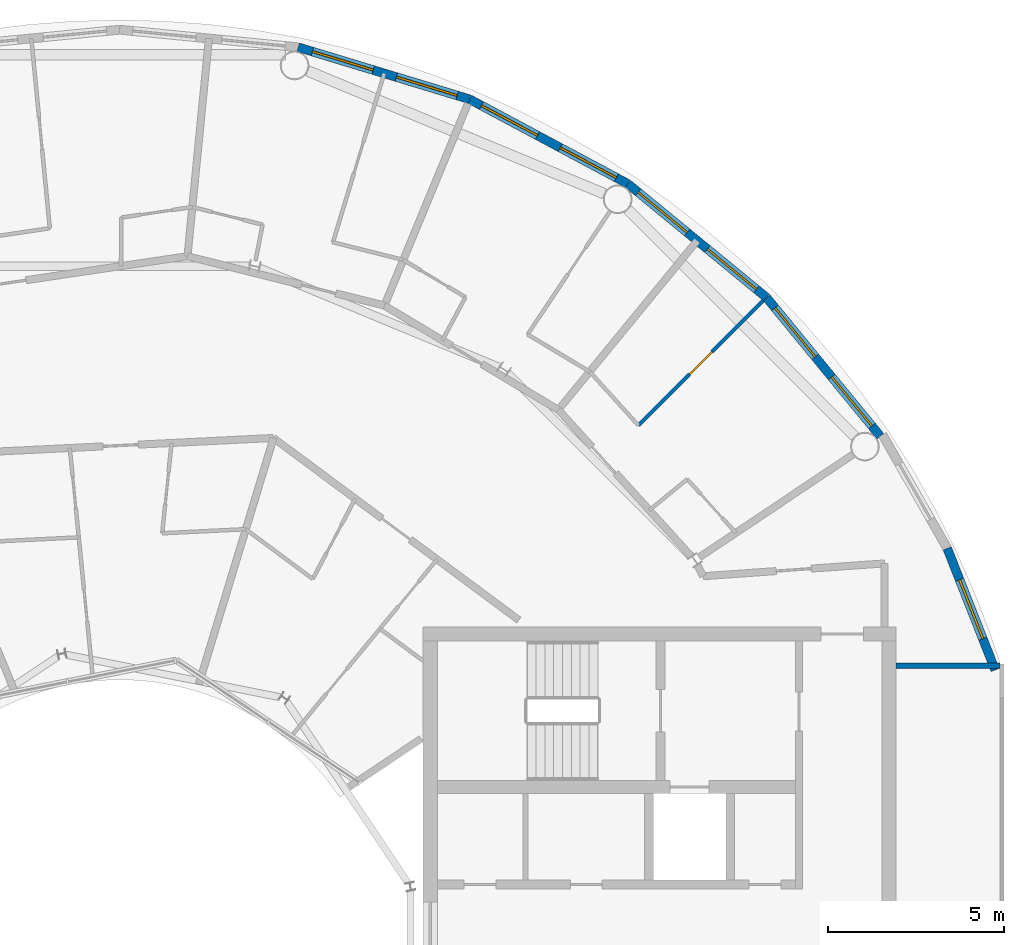
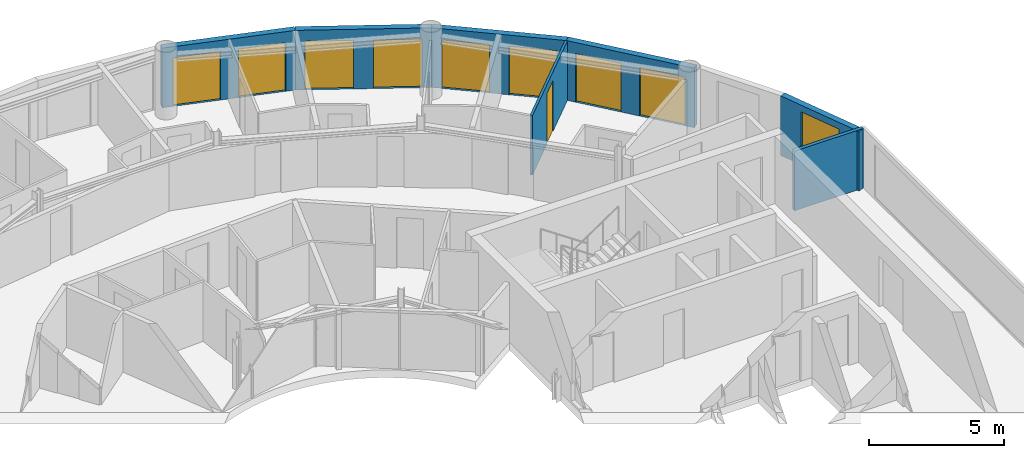
# One storey, part 19 of 22: 9 doors, 7 walls, 1 window, 10 openings.
"""IFC4 building model written with IfcOpenShell, lengths in metres."""

from ifc_helpers import new_model, si_unit, direction, frame, frame_2d, origin, place, context, subcontext, project, spatial, rectangle, extrude, material, layer, layer_set, type_object, element, fill, save


model = new_model("IFC4")

# Units and contexts
model_context = context("Model", 3, precision=1e-05, world=origin(), true_north=direction((0.0, 1.0)))
body_context = subcontext(model_context, "Body", "Model", "MODEL_VIEW")
ifc_project = project(units=[si_unit("LENGTHUNIT", "METRE"), si_unit("AREAUNIT", "SQUARE_METRE"), si_unit("VOLUMEUNIT", "CUBIC_METRE"), si_unit("PLANEANGLEUNIT", "RADIAN"), si_unit("MASSUNIT", "GRAM", prefix="KILO")], contexts=[model_context])

# Site, building, storey
site_placement = place(None, origin())
site = spatial("IfcSite", under=ifc_project, at=site_placement, CompositionType="ELEMENT")
building_placement = place(site_placement, origin())
building = spatial("IfcBuilding", under=site, at=building_placement, Name="Maasbend Ring Residences", CompositionType="ELEMENT")
storey_placement = place(building_placement, frame((0.0, 0.0, 237.10009765625)))
storey = spatial("IfcBuildingStorey", under=building, at=storey_placement, Name="L68", CompositionType="ELEMENT", Elevation=237.10009765625)

# Wall, openings, doors
ifc_material_1 = material(Name="Aluminium clad insulated panel", Category="aluminium")
ifc_layer_1 = layer(ifc_material_1, 0.25)
ifc_layer_set_1 = layer_set([ifc_layer_1], Name="EW-GL")
wall_type_1 = type_object("IfcWallType", Name="EW-GL", PredefinedType="SOLIDWALL", material=ifc_layer_set_1)
wall_1_placement = place(storey_placement, frame((21.555908203125, 14.403076171875, 0.0), z_axis=(0.0, 0.0, 1.0), x_axis=(-0.63433059803, 0.77306189429, 0.0)))
wall_1 = element("IfcWall", 1, at=wall_1_placement, inside=storey, type_object=wall_type_1, Name="External wall N01", PredefinedType="SOLIDWALL", context=body_context, shape_type="SweptSolid", body=[
    extrude(rectangle(XDim=5.082275390625, YDim=0.25, at=frame_2d((2.541015625, 0.0))), origin(), (0.0, 0.0, 1.0), 2.699951171875),
])
opening_1_placement = place(wall_1_placement, frame((0.37353515625, 0.0, 0.0)))
opening_1 = element("IfcOpeningElement", 2, at=opening_1_placement, cuts=wall_1, Name="Opening D-TR", PredefinedType="OPENING", context=body_context, shape_type="SweptSolid", body=[
    extrude(rectangle(XDim=1.800048828125, YDim=2.199951171875, at=frame_2d((0.89990234375, 1.10009765625))), frame((0.0, 0.135009765625, 0.0), z_axis=(0.0, -1.0, 0.0), x_axis=(1.0, 0.0, 0.0)), (0.0, 0.0, 1.0), 0.27001953125),
])
opening_2_placement = place(wall_1_placement, frame((2.90869140625, 0.0, 0.0)))
opening_2 = element("IfcOpeningElement", 3, at=opening_2_placement, cuts=wall_1, Name="Opening D-TR", PredefinedType="OPENING", context=body_context, shape_type="SweptSolid", body=[
    extrude(rectangle(XDim=1.800048828125, YDim=2.199951171875, at=frame_2d((0.89990234375, 1.10009765625))), frame((0.0, 0.135009765625, 0.0), z_axis=(0.0, -1.0, 0.0), x_axis=(1.0, 0.0, 0.0)), (0.0, 0.0, 1.0), 0.27001953125),
])
ifc_material_2 = material(Name="Aluminium and clear glass", Category="aluminium")
door_type_1 = type_object("IfcDoorType", Name="D-TR", OperationType="DOUBLE_DOOR_SINGLE_SWING", PredefinedType="DOOR", material=ifc_material_2)
door_1_placement = place(opening_1_placement, origin())
door_1 = element("IfcDoor", 4, at=door_1_placement, inside=storey, type_object=door_type_1, Name="Terrace door N01", OperationType="SINGLE_SWING_LEFT", OverallHeight=2.199951171875, OverallWidth=1.800048828125, PredefinedType="DOOR", context=body_context, shape_type="SweptSolid", body=[
    extrude(rectangle(XDim=1.800048828125, YDim=2.199951171875, at=frame_2d((0.89990234375, 1.10009765625))), frame((0.0, 0.02490234375, 0.0), z_axis=(0.0, -1.0, 0.0), x_axis=(1.0, 0.0, 0.0)), (0.0, 0.0, 1.0), 0.050048828125),
])
fill(opening_1, door_1)
door_2_placement = place(opening_2_placement, origin())
door_2 = element("IfcDoor", 5, at=door_2_placement, inside=storey, type_object=door_type_1, Name="Terrace door N02", OperationType="SINGLE_SWING_LEFT", OverallHeight=2.199951171875, OverallWidth=1.800048828125, PredefinedType="DOOR", context=body_context, shape_type="SweptSolid", body=[
    extrude(rectangle(XDim=1.800048828125, YDim=2.199951171875, at=frame_2d((0.89990234375, 1.10009765625))), frame((0.0, 0.02490234375, 0.0), z_axis=(0.0, -1.0, 0.0), x_axis=(1.0, 0.0, 0.0)), (0.0, 0.0, 1.0), 0.050048828125),
])
fill(opening_2, door_2)

wall_2_placement = place(storey_placement, frame((18.33203125, 18.33203125, 0.0), z_axis=(0.0, 0.0, 1.0), x_axis=(-0.77306189429, 0.63433059803, 0.0)))
wall_2 = element("IfcWall", 6, at=wall_2_placement, inside=storey, type_object=wall_type_1, Name="External wall N02", PredefinedType="SOLIDWALL", context=body_context, shape_type="SweptSolid", body=[
    extrude(rectangle(XDim=5.082275390625, YDim=0.25, at=frame_2d((2.541015625, 0.0))), origin(), (0.0, 0.0, 1.0), 2.699951171875),
])
opening_3_placement = place(wall_2_placement, frame((0.37353515625, 0.0, 0.0)))
opening_3 = element("IfcOpeningElement", 7, at=opening_3_placement, cuts=wall_2, Name="Opening D-TR", PredefinedType="OPENING", context=body_context, shape_type="SweptSolid", body=[
    extrude(rectangle(XDim=1.800048828125, YDim=2.199951171875, at=frame_2d((0.89990234375, 1.10009765625))), frame((0.0, 0.135009765625, 0.0), z_axis=(0.0, -1.0, 0.0), x_axis=(1.0, 0.0, 0.0)), (0.0, 0.0, 1.0), 0.27001953125),
])
opening_4_placement = place(wall_2_placement, frame((2.90869140625, 0.0, 0.0)))
opening_4 = element("IfcOpeningElement", 8, at=opening_4_placement, cuts=wall_2, Name="Opening D-TR", PredefinedType="OPENING", context=body_context, shape_type="SweptSolid", body=[
    extrude(rectangle(XDim=1.800048828125, YDim=2.199951171875, at=frame_2d((0.89990234375, 1.10009765625))), frame((0.0, 0.135009765625, 0.0), z_axis=(0.0, -1.0, 0.0), x_axis=(1.0, 0.0, 0.0)), (0.0, 0.0, 1.0), 0.27001953125),
])
door_3_placement = place(opening_3_placement, origin())
door_3 = element("IfcDoor", 9, at=door_3_placement, inside=storey, type_object=door_type_1, Name="Terrace door N03", OperationType="SINGLE_SWING_LEFT", OverallHeight=2.199951171875, OverallWidth=1.800048828125, PredefinedType="DOOR", context=body_context, shape_type="SweptSolid", body=[
    extrude(rectangle(XDim=1.800048828125, YDim=2.199951171875, at=frame_2d((0.89990234375, 1.10009765625))), frame((0.0, 0.02490234375, 0.0), z_axis=(0.0, -1.0, 0.0), x_axis=(1.0, 0.0, 0.0)), (0.0, 0.0, 1.0), 0.050048828125),
])
fill(opening_3, door_3)
door_4_placement = place(opening_4_placement, origin())
door_4 = element("IfcDoor", 10, at=door_4_placement, inside=storey, type_object=door_type_1, Name="Terrace door N04", OperationType="SINGLE_SWING_LEFT", OverallHeight=2.199951171875, OverallWidth=1.800048828125, PredefinedType="DOOR", context=body_context, shape_type="SweptSolid", body=[
    extrude(rectangle(XDim=1.800048828125, YDim=2.199951171875, at=frame_2d((0.89990234375, 1.10009765625))), frame((0.0, 0.02490234375, 0.0), z_axis=(0.0, -1.0, 0.0), x_axis=(1.0, 0.0, 0.0)), (0.0, 0.0, 1.0), 0.050048828125),
])
fill(opening_4, door_4)

wall_3_placement = place(storey_placement, frame((14.403076171875, 21.555908203125, 0.0), z_axis=(0.0, 0.0, 1.0), x_axis=(-0.881903089468, 0.47143073806, 0.0)))
wall_3 = element("IfcWall", 11, at=wall_3_placement, inside=storey, type_object=wall_type_1, Name="External wall N03", PredefinedType="SOLIDWALL", context=body_context, shape_type="SweptSolid", body=[
    extrude(rectangle(XDim=5.082275390625, YDim=0.25, at=frame_2d((2.541015625, 0.0))), origin(), (0.0, 0.0, 1.0), 2.699951171875),
])
opening_5_placement = place(wall_3_placement, frame((0.37353515625, 0.0, 0.0)))
opening_5 = element("IfcOpeningElement", 12, at=opening_5_placement, cuts=wall_3, Name="Opening D-TR", PredefinedType="OPENING", context=body_context, shape_type="SweptSolid", body=[
    extrude(rectangle(XDim=1.800048828125, YDim=2.199951171875, at=frame_2d((0.89990234375, 1.10009765625))), frame((0.0, 0.135009765625, 0.0), z_axis=(0.0, -1.0, 0.0), x_axis=(1.0, 0.0, 0.0)), (0.0, 0.0, 1.0), 0.27001953125),
])
opening_6_placement = place(wall_3_placement, frame((2.90869140625, 0.0, 0.0)))
opening_6 = element("IfcOpeningElement", 13, at=opening_6_placement, cuts=wall_3, Name="Opening D-TR", PredefinedType="OPENING", context=body_context, shape_type="SweptSolid", body=[
    extrude(rectangle(XDim=1.800048828125, YDim=2.199951171875, at=frame_2d((0.89990234375, 1.10009765625))), frame((0.0, 0.135009765625, 0.0), z_axis=(0.0, -1.0, 0.0), x_axis=(1.0, 0.0, 0.0)), (0.0, 0.0, 1.0), 0.27001953125),
])
door_5_placement = place(opening_5_placement, origin())
door_5 = element("IfcDoor", 14, at=door_5_placement, inside=storey, type_object=door_type_1, Name="Terrace door N05", OperationType="SINGLE_SWING_LEFT", OverallHeight=2.199951171875, OverallWidth=1.800048828125, PredefinedType="DOOR", context=body_context, shape_type="SweptSolid", body=[
    extrude(rectangle(XDim=1.800048828125, YDim=2.199951171875, at=frame_2d((0.89990234375, 1.10009765625))), frame((0.0, 0.02490234375, 0.0), z_axis=(0.0, -1.0, 0.0), x_axis=(1.0, 0.0, 0.0)), (0.0, 0.0, 1.0), 0.050048828125),
])
fill(opening_5, door_5)
door_6_placement = place(opening_6_placement, origin())
door_6 = element("IfcDoor", 15, at=door_6_placement, inside=storey, type_object=door_type_1, Name="Terrace door N06", OperationType="SINGLE_SWING_LEFT", OverallHeight=2.199951171875, OverallWidth=1.800048828125, PredefinedType="DOOR", context=body_context, shape_type="SweptSolid", body=[
    extrude(rectangle(XDim=1.800048828125, YDim=2.199951171875, at=frame_2d((0.89990234375, 1.10009765625))), frame((0.0, 0.02490234375, 0.0), z_axis=(0.0, -1.0, 0.0), x_axis=(1.0, 0.0, 0.0)), (0.0, 0.0, 1.0), 0.050048828125),
])
fill(opening_6, door_6)

wall_4_placement = place(storey_placement, frame((9.9208984375, 23.951904296875, 0.0), z_axis=(0.0, 0.0, 1.0), x_axis=(-0.956941126395, 0.290282070774, 0.0)))
wall_4 = element("IfcWall", 16, at=wall_4_placement, inside=storey, type_object=wall_type_1, Name="External wall N04", PredefinedType="SOLIDWALL", context=body_context, shape_type="SweptSolid", body=[
    extrude(rectangle(XDim=5.08154296875, YDim=0.25, at=frame_2d((2.540771484375, 0.0))), origin(), (0.0, 0.0, 1.0), 2.699951171875),
])
opening_7_placement = place(wall_4_placement, frame((0.37353515625, 0.0, 0.0)))
opening_7 = element("IfcOpeningElement", 17, at=opening_7_placement, cuts=wall_4, Name="Opening D-TR", PredefinedType="OPENING", context=body_context, shape_type="SweptSolid", body=[
    extrude(rectangle(XDim=1.800048828125, YDim=2.199951171875, at=frame_2d((0.89990234375, 1.10009765625))), frame((0.0, 0.135009765625, 0.0), z_axis=(0.0, -1.0, 0.0), x_axis=(1.0, 0.0, 0.0)), (0.0, 0.0, 1.0), 0.27001953125),
])
opening_8_placement = place(wall_4_placement, frame((2.861083984375, 0.0, 0.0)))
opening_8 = element("IfcOpeningElement", 18, at=opening_8_placement, cuts=wall_4, Name="Opening D-TR", PredefinedType="OPENING", context=body_context, shape_type="SweptSolid", body=[
    extrude(rectangle(XDim=1.800048828125, YDim=2.199951171875, at=frame_2d((0.89990234375, 1.10009765625))), frame((0.0, 0.135009765625, 0.0), z_axis=(0.0, -1.0, 0.0), x_axis=(1.0, 0.0, 0.0)), (0.0, 0.0, 1.0), 0.27001953125),
])
door_7_placement = place(opening_7_placement, origin())
door_7 = element("IfcDoor", 19, at=door_7_placement, inside=storey, type_object=door_type_1, Name="Terrace door N07", OperationType="SINGLE_SWING_LEFT", OverallHeight=2.199951171875, OverallWidth=1.800048828125, PredefinedType="DOOR", context=body_context, shape_type="SweptSolid", body=[
    extrude(rectangle(XDim=1.800048828125, YDim=2.199951171875, at=frame_2d((0.89990234375, 1.10009765625))), frame((0.0, 0.02490234375, 0.0), z_axis=(0.0, -1.0, 0.0), x_axis=(1.0, 0.0, 0.0)), (0.0, 0.0, 1.0), 0.050048828125),
])
fill(opening_7, door_7)
door_8_placement = place(opening_8_placement, origin())
door_8 = element("IfcDoor", 20, at=door_8_placement, inside=storey, type_object=door_type_1, Name="Terrace door N08", OperationType="SINGLE_SWING_LEFT", OverallHeight=2.199951171875, OverallWidth=1.800048828125, PredefinedType="DOOR", context=body_context, shape_type="SweptSolid", body=[
    extrude(rectangle(XDim=1.800048828125, YDim=2.199951171875, at=frame_2d((0.89990234375, 1.10009765625))), frame((0.0, 0.02490234375, 0.0), z_axis=(0.0, -1.0, 0.0), x_axis=(1.0, 0.0, 0.0)), (0.0, 0.0, 1.0), 0.050048828125),
])
fill(opening_8, door_8)

# Wall, opening, window
ifc_material_3 = material(Name="Aluminium clad insulated panel", Category="aluminium")
ifc_layer_2 = layer(ifc_material_3, 0.25)
ifc_layer_set_2 = layer_set([ifc_layer_2], Name="EW-HORN")
wall_type_2 = type_object("IfcWallType", Name="EW-HORN", PredefinedType="SOLIDWALL", material=ifc_layer_set_2)
wall_5_placement = place(storey_placement, frame((24.80908203125, 7.779052734375, 0.0), z_axis=(0.0, 0.0, 1.0), x_axis=(-0.366351636034, 0.930476479432, 0.0)))
wall_5 = element("IfcWall", 21, at=wall_5_placement, inside=storey, type_object=wall_type_2, Name="Horn wall 1.1", PredefinedType="SOLIDWALL", context=body_context, shape_type="SweptSolid", body=[
    extrude(rectangle(XDim=3.70458984375, YDim=0.25, at=frame_2d((1.852294921875, 0.0))), origin(), (0.0, 0.0, 1.0), 2.699951171875),
])
opening_9_placement = place(wall_5_placement, frame((0.952392578125, 0.0, 0.300048828125)))
opening_9 = element("IfcOpeningElement", 22, at=opening_9_placement, cuts=wall_5, Name="Opening W-BX", PredefinedType="OPENING", context=body_context, shape_type="SweptSolid", body=[
    extrude(rectangle(XDim=1.800048828125, YDim=2.10009765625, at=frame_2d((0.89990234375, 1.050048828125))), frame((0.0, 0.135009765625, 0.0), z_axis=(0.0, -1.0, 0.0), x_axis=(1.0, 0.0, 0.0)), (0.0, 0.0, 1.0), 0.27001953125),
])
ifc_material_4 = material(Name="Aluminium and clear glass", Category="aluminium")
window_type = type_object("IfcWindowType", Name="W-BX", PartitioningType="DOUBLE_PANEL_VERTICAL", PredefinedType="WINDOW", material=ifc_material_4)
window_placement = place(opening_9_placement, origin())
window = element("IfcWindow", 23, at=window_placement, inside=storey, type_object=window_type, Name="Horn window 1.1", OverallHeight=2.10009765625, OverallWidth=1.800048828125, PartitioningType="SINGLE_PANEL", PredefinedType="WINDOW", context=body_context, shape_type="SweptSolid", body=[
    extrude(rectangle(XDim=1.800048828125, YDim=2.10009765625, at=frame_2d((0.89990234375, 1.050048828125))), frame((0.0, 0.030029296875, 0.0), z_axis=(0.0, -1.0, 0.0), x_axis=(1.0, 0.0, 0.0)), (0.0, 0.0, 1.0), 0.06005859375),
])
fill(opening_9, window)

# Wall, opening, door
ifc_material_5 = material(Name="Gypsum board on steel studs", Category="steel")
ifc_layer_3 = layer(ifc_material_5, 0.10009765625)
ifc_layer_set_3 = layer_set([ifc_layer_3], Name="PARTITION 100 GYPSUM")
wall_type_3 = type_object("IfcWallType", Name="PARTITION 100 GYPSUM", PredefinedType="PARTITIONING", material=ifc_layer_set_3)
wall_6_placement = place(storey_placement, frame((14.701904296875, 14.7109375, 0.0), z_axis=(0.0, 0.0, 1.0), x_axis=(0.706911528738, 0.707301979735, 0.0)))
wall_6 = element("IfcWall", 24, at=wall_6_placement, inside=storey, type_object=wall_type_3, Name="U-L68-w091", PredefinedType="PARTITIONING", context=body_context, shape_type="SweptSolid", body=[
    extrude(rectangle(XDim=5.002197265625, YDim=0.10009765625, at=frame_2d((2.5009765625, 0.0))), origin(), (0.0, 0.0, 1.0), 2.699951171875),
])
opening_10_placement = place(wall_6_placement, frame((2.051025390625, 0.0, 0.0)))
opening_10 = element("IfcOpeningElement", 25, at=opening_10_placement, cuts=wall_6, Name="Opening D-6803", PredefinedType="OPENING", context=body_context, shape_type="SweptSolid", body=[
    extrude(rectangle(XDim=0.89990234375, YDim=2.300048828125, at=frame_2d((0.449951171875, 1.14990234375))), frame((0.0, 0.06005859375, 0.0), z_axis=(0.0, -1.0, 0.0), x_axis=(1.0, 0.0, 0.0)), (0.0, 0.0, 1.0), 0.1201171875),
])
ifc_material_6 = material(Name="Timber, painted", Category="wood")
door_type_2 = type_object("IfcDoorType", Name="INTERNAL DOOR 900 X 2300", OperationType="NOTDEFINED", PredefinedType="DOOR", material=ifc_material_6)
door_9_placement = place(opening_10_placement, origin())
door_9 = element("IfcDoor", 26, at=door_9_placement, inside=storey, type_object=door_type_2, Name="D-6803", OperationType="SINGLE_SWING_LEFT", OverallHeight=2.300048828125, OverallWidth=0.89990234375, PredefinedType="DOOR", context=body_context, shape_type="SweptSolid", body=[
    extrude(rectangle(XDim=0.89990234375, YDim=2.300048828125, at=frame_2d((0.449951171875, 1.14990234375))), frame((0.0, 0.02490234375, 0.0), z_axis=(0.0, -1.0, 0.0), x_axis=(1.0, 0.0, 0.0)), (0.0, 0.0, 1.0), 0.050048828125),
])
fill(opening_10, door_9)

# Wall
ifc_material_7 = material(Name="Gypsum board on steel studs", Category="steel")
ifc_layer_4 = layer(ifc_material_7, 0.14990234375)
ifc_layer_set_4 = layer_set([ifc_layer_4], Name="PARTITION 150 EI 60")
wall_type_4 = type_object("IfcWallType", Name="PARTITION 150 EI 60", PredefinedType="PARTITIONING", material=ifc_layer_set_4)
wall_7_placement = place(storey_placement, frame((22.0, 7.89990234375, 0.0), z_axis=(0.0, 0.0, 1.0), x_axis=(1.0, 0.0, 0.0)))
element("IfcWall", 27, at=wall_7_placement, inside=storey, type_object=wall_type_4, Name="L68 core E wall CITN", PredefinedType="PARTITIONING", context=body_context, shape_type="SweptSolid", body=[
    extrude(rectangle(XDim=2.93994140625, YDim=0.14990234375, at=frame_2d((1.469970703125, 0.0))), origin(), (0.0, 0.0, 1.0), 2.699951171875),
])

save(model, "model.ifc")
